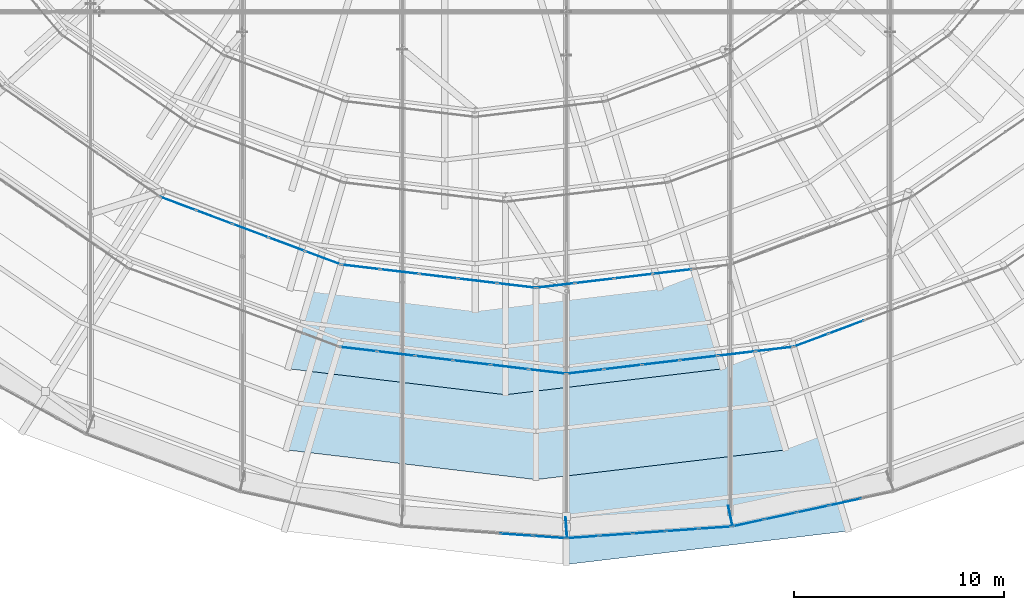
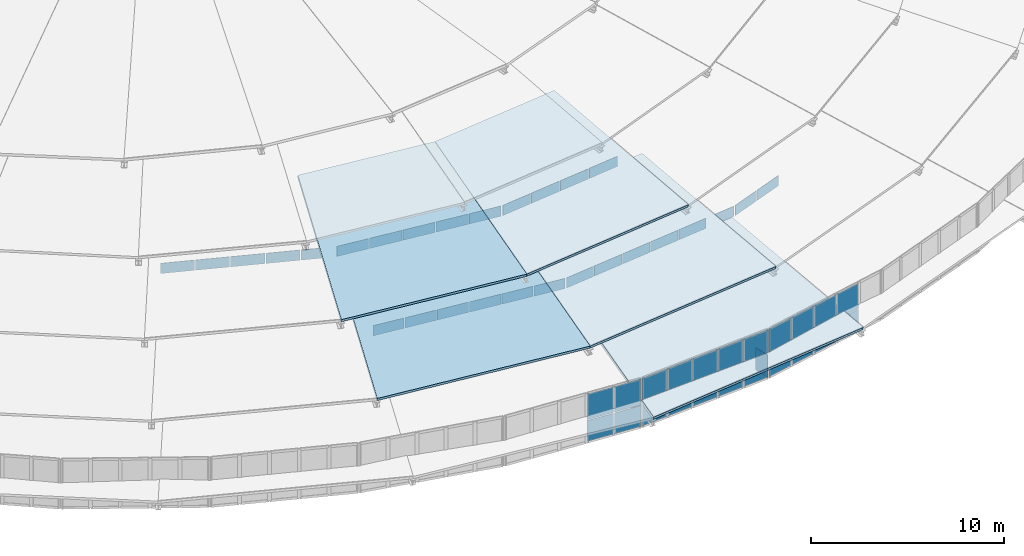
# One storey, part 144 of 173: 52 plates, 5 slabs, 12 elements without a shape of their own.
"""IFC4 building model written with IfcOpenShell, lengths in metres."""

from ifc_helpers import new_model, si_unit, direction, frame, origin, origin_2d, place, context, subcontext, project, spatial, polyline, rectangle, outline, extrude, material, layer, layer_set, type_object, element, aggregate, save


model = new_model("IFC4")

# Units and contexts
model_context = context("Model", 3, precision=1e-05, world=origin(), true_north=direction((0.0, 1.0)))
body_context = subcontext(model_context, "Body", "Model", "MODEL_VIEW")
ifc_project = project(units=[si_unit("LENGTHUNIT", "METRE"), si_unit("AREAUNIT", "SQUARE_METRE"), si_unit("VOLUMEUNIT", "CUBIC_METRE"), si_unit("PLANEANGLEUNIT", "RADIAN"), si_unit("MASSUNIT", "GRAM", prefix="KILO")], contexts=[model_context])

# Site, building, storey
site_placement = place(None, origin())
site = spatial("IfcSite", under=ifc_project, at=site_placement, CompositionType="ELEMENT")
building_placement = place(site_placement, origin())
building = spatial("IfcBuilding", under=site, at=building_placement, Name="Glasvene Arena", CompositionType="ELEMENT")
storey_placement = place(building_placement, frame((0.0, 0.0, 28.800048828125)))
storey = spatial("IfcBuildingStorey", under=building, at=storey_placement, Name="RF", CompositionType="ELEMENT", Elevation=28.800048828125)

# Curtain wall, plates
ifc_material_1 = material(Name="Low-emissivity laminated double glazing", Category="glass")
curtain_wall_type_1 = type_object("IfcCurtainWallType", Name="CW-PET1-1091x75", PredefinedType="USERDEFINED", material=ifc_material_1)
curtain_wall_1_placement = place(storey_placement, frame((81.16845703125, 36.584716796875, 0.0)))
curtain_wall_1 = element("IfcCurtainWall", 1, at=curtain_wall_1_placement, inside=storey, type_object=curtain_wall_type_1, Name="Petal ring 1-2 clerestory curtain wall 18", ObjectType="CURTAIN WALL", PredefinedType="USERDEFINED")
ifc_layer_1 = layer(ifc_material_1, 0.028076171875)
ifc_layer_set_1 = layer_set([ifc_layer_1], Name="Low-emissivity laminated double glazing")
plate_type_1 = type_object("IfcPlateType", Name="CW-GLZ-28", PredefinedType="CURTAIN_PANEL", material=ifc_layer_set_1)
plate_1_placement = place(storey_placement, frame((82.08349609375, 36.47607421875, 2.6298828125), z_axis=(0.0, 0.0, 1.0), x_axis=(0.993040652756, -0.117772076378, 0.0)))
plate_1 = element("IfcPlate", 2, at=plate_1_placement, type_object=plate_type_1, Name="CW-086 panel 1.1", PredefinedType="CURTAIN_PANEL", context=body_context, shape_type="SweptSolid", body=[
    extrude(rectangle(XDim=1.742919921875, YDim=0.028076171875, at=origin_2d()), origin(), (0.0, 0.0, 1.0), 0.64990234375),
])
plate_2_placement = place(storey_placement, frame((83.876220703125, 36.263427734375, 2.6298828125), z_axis=(0.0, 0.0, 1.0), x_axis=(0.993040652756, -0.117772076378, 0.0)))
plate_2 = element("IfcPlate", 3, at=plate_2_placement, type_object=plate_type_1, Name="CW-086 panel 2.1", PredefinedType="CURTAIN_PANEL", context=body_context, shape_type="SweptSolid", body=[
    extrude(rectangle(XDim=1.767822265625, YDim=0.028076171875, at=origin_2d()), origin(), (0.0, 0.0, 1.0), 0.64990234375),
])
plate_3_placement = place(storey_placement, frame((85.681640625, 36.04931640625, 2.6298828125), z_axis=(0.0, 0.0, 1.0), x_axis=(0.993040652756, -0.117772076378, 0.0)))
plate_3 = element("IfcPlate", 4, at=plate_3_placement, type_object=plate_type_1, Name="CW-086 panel 3.1", PredefinedType="CURTAIN_PANEL", context=body_context, shape_type="SweptSolid", body=[
    extrude(rectangle(XDim=1.767822265625, YDim=0.028076171875, at=origin_2d()), origin(), (0.0, 0.0, 1.0), 0.64990234375),
])
plate_4_placement = place(storey_placement, frame((87.48681640625, 35.835205078125, 2.6298828125), z_axis=(0.0, 0.0, 1.0), x_axis=(0.993040652756, -0.117772076378, 0.0)))
plate_4 = element("IfcPlate", 5, at=plate_4_placement, type_object=plate_type_1, Name="CW-086 panel 4.1", PredefinedType="CURTAIN_PANEL", context=body_context, shape_type="SweptSolid", body=[
    extrude(rectangle(XDim=1.767822265625, YDim=0.028076171875, at=origin_2d()), origin(), (0.0, 0.0, 1.0), 0.64990234375),
])
plate_5_placement = place(storey_placement, frame((89.2919921875, 35.62109375, 2.6298828125), z_axis=(0.0, 0.0, 1.0), x_axis=(0.993040652756, -0.117772076378, 0.0)))
plate_5 = element("IfcPlate", 6, at=plate_5_placement, type_object=plate_type_1, Name="CW-086 panel 5.1", PredefinedType="CURTAIN_PANEL", context=body_context, shape_type="SweptSolid", body=[
    extrude(rectangle(XDim=1.767822265625, YDim=0.028076171875, at=origin_2d()), origin(), (0.0, 0.0, 1.0), 0.64990234375),
])
plate_6_placement = place(storey_placement, frame((91.0849609375, 35.408447265625, 2.6298828125), z_axis=(0.0, 0.0, 1.0), x_axis=(0.993040652756, -0.117772076378, 0.0)))
plate_6 = element("IfcPlate", 7, at=plate_6_placement, type_object=plate_type_1, Name="CW-086 panel 6.1", PredefinedType="CURTAIN_PANEL", context=body_context, shape_type="SweptSolid", body=[
    extrude(rectangle(XDim=1.742919921875, YDim=0.028076171875, at=origin_2d()), origin(), (0.0, 0.0, 1.0), 0.64990234375),
])
aggregate(curtain_wall_1, [plate_1, plate_2, plate_3, plate_4, plate_5, plate_6])

curtain_wall_2_placement = place(storey_placement, frame((92.0, 35.300048828125, 0.0)))
curtain_wall_2 = element("IfcCurtainWall", 8, at=curtain_wall_2_placement, inside=storey, type_object=curtain_wall_type_1, Name="Petal ring 1-2 clerestory curtain wall 19", ObjectType="CURTAIN WALL", PredefinedType="USERDEFINED")
plate_7_placement = place(storey_placement, frame((92.9150390625, 35.408447265625, 2.6298828125), z_axis=(0.0, 0.0, 1.0), x_axis=(0.993040652756, 0.117772076378, 0.0)))
plate_7 = element("IfcPlate", 9, at=plate_7_placement, type_object=plate_type_1, Name="CW-086 panel 1.1", PredefinedType="CURTAIN_PANEL", context=body_context, shape_type="SweptSolid", body=[
    extrude(rectangle(XDim=1.742919921875, YDim=0.028076171875, at=origin_2d()), origin(), (0.0, 0.0, 1.0), 0.64990234375),
])
plate_8_placement = place(storey_placement, frame((94.7080078125, 35.62109375, 2.6298828125), z_axis=(0.0, 0.0, 1.0), x_axis=(0.993040652756, 0.117772076378, 0.0)))
plate_8 = element("IfcPlate", 10, at=plate_8_placement, type_object=plate_type_1, Name="CW-086 panel 2.1", PredefinedType="CURTAIN_PANEL", context=body_context, shape_type="SweptSolid", body=[
    extrude(rectangle(XDim=1.767822265625, YDim=0.028076171875, at=origin_2d()), origin(), (0.0, 0.0, 1.0), 0.64990234375),
])
plate_9_placement = place(storey_placement, frame((96.51318359375, 35.835205078125, 2.6298828125), z_axis=(0.0, 0.0, 1.0), x_axis=(0.993040652756, 0.117772076378, 0.0)))
plate_9 = element("IfcPlate", 11, at=plate_9_placement, type_object=plate_type_1, Name="CW-086 panel 3.1", PredefinedType="CURTAIN_PANEL", context=body_context, shape_type="SweptSolid", body=[
    extrude(rectangle(XDim=1.767822265625, YDim=0.028076171875, at=origin_2d()), origin(), (0.0, 0.0, 1.0), 0.64990234375),
])
plate_10_placement = place(storey_placement, frame((98.318359375, 36.04931640625, 2.6298828125), z_axis=(0.0, 0.0, 1.0), x_axis=(0.993040652756, 0.117772076378, 0.0)))
plate_10 = element("IfcPlate", 12, at=plate_10_placement, type_object=plate_type_1, Name="CW-086 panel 4.1", PredefinedType="CURTAIN_PANEL", context=body_context, shape_type="SweptSolid", body=[
    extrude(rectangle(XDim=1.767822265625, YDim=0.028076171875, at=origin_2d()), origin(), (0.0, 0.0, 1.0), 0.64990234375),
])
plate_11_placement = place(storey_placement, frame((100.123779296875, 36.263427734375, 2.6298828125), z_axis=(0.0, 0.0, 1.0), x_axis=(0.993040652756, 0.117772076378, 0.0)))
plate_11 = element("IfcPlate", 13, at=plate_11_placement, type_object=plate_type_1, Name="CW-086 panel 5.1", PredefinedType="CURTAIN_PANEL", context=body_context, shape_type="SweptSolid", body=[
    extrude(rectangle(XDim=1.767822265625, YDim=0.028076171875, at=origin_2d()), origin(), (0.0, 0.0, 1.0), 0.64990234375),
])
plate_12_placement = place(storey_placement, frame((101.91650390625, 36.47607421875, 2.6298828125), z_axis=(0.0, 0.0, 1.0), x_axis=(0.993040652756, 0.117772076378, 0.0)))
plate_12 = element("IfcPlate", 14, at=plate_12_placement, type_object=plate_type_1, Name="CW-086 panel 6.1", PredefinedType="CURTAIN_PANEL", context=body_context, shape_type="SweptSolid", body=[
    extrude(rectangle(XDim=1.742919921875, YDim=0.028076171875, at=origin_2d()), origin(), (0.0, 0.0, 1.0), 0.64990234375),
])
aggregate(curtain_wall_2, [plate_7, plate_8, plate_9, plate_10, plate_11, plate_12])

curtain_wall_type_2 = type_object("IfcCurtainWallType", Name="CW-PET1-1077x75", PredefinedType="USERDEFINED", material=ifc_material_1)
curtain_wall_3_placement = place(storey_placement, frame((102.83154296875, 36.584716796875, 0.0)))
curtain_wall_3 = element("IfcCurtainWall", 15, at=curtain_wall_3_placement, inside=storey, type_object=curtain_wall_type_2, Name="Petal ring 1-2 clerestory curtain wall 20", ObjectType="CURTAIN WALL", PredefinedType="USERDEFINED")
plate_13_placement = place(storey_placement, frame((103.684326171875, 36.90283203125, 2.6298828125), z_axis=(0.0, 0.0, 1.0), x_axis=(0.936902411354, 0.349591006176, 0.0)))
plate_13 = element("IfcPlate", 16, at=plate_13_placement, type_object=plate_type_1, Name="CW-085 panel 1.1", PredefinedType="CURTAIN_PANEL", context=body_context, shape_type="SweptSolid", body=[
    extrude(rectangle(XDim=1.720458984375, YDim=0.028076171875, at=origin_2d()), origin(), (0.0, 0.0, 1.0), 0.64990234375),
])
plate_14_placement = place(storey_placement, frame((105.35498046875, 37.526123046875, 2.6298828125), z_axis=(0.0, 0.0, 1.0), x_axis=(0.936902411354, 0.349591006176, 0.0)))
plate_14 = element("IfcPlate", 17, at=plate_14_placement, type_object=plate_type_1, Name="CW-085 panel 2.1", PredefinedType="CURTAIN_PANEL", context=body_context, shape_type="SweptSolid", body=[
    extrude(rectangle(XDim=1.74560546875, YDim=0.028076171875, at=origin_2d()), origin(), (0.0, 0.0, 1.0), 0.64990234375),
])
aggregate(curtain_wall_3, [plate_13, plate_14])

curtain_wall_type_3 = type_object("IfcCurtainWallType", Name="CW-PET2-925x75", PredefinedType="USERDEFINED", material=ifc_material_1)
curtain_wall_4_placement = place(storey_placement, frame((72.60009765625, 43.74755859375, 0.0)))
curtain_wall_4 = element("IfcCurtainWall", 18, at=curtain_wall_4_placement, inside=storey, type_object=curtain_wall_type_3, Name="Petal ring 2-3 clerestory curtain wall 17", ObjectType="CURTAIN WALL", PredefinedType="USERDEFINED")
plate_15_placement = place(storey_placement, frame((73.4775390625, 43.4189453125, 5.22998046875), z_axis=(0.0, 0.0, 1.0), x_axis=(0.936510409342, -0.350639776971, 0.0)))
plate_15 = element("IfcPlate", 19, at=plate_15_placement, type_object=plate_type_1, Name="CW-091 panel 1.1", PredefinedType="CURTAIN_PANEL", context=body_context, shape_type="SweptSolid", body=[
    extrude(rectangle(XDim=1.774169921875, YDim=0.028076171875, at=origin_2d()), origin(), (0.0, 0.0, 1.0), 0.64990234375),
])
plate_16_placement = place(storey_placement, frame((75.197509765625, 42.77490234375, 5.22998046875), z_axis=(0.0, 0.0, 1.0), x_axis=(0.936510409342, -0.350639776971, 0.0)))
plate_16 = element("IfcPlate", 20, at=plate_16_placement, type_object=plate_type_1, Name="CW-091 panel 2.1", PredefinedType="CURTAIN_PANEL", context=body_context, shape_type="SweptSolid", body=[
    extrude(rectangle(XDim=1.799072265625, YDim=0.028076171875, at=origin_2d()), origin(), (0.0, 0.0, 1.0), 0.64990234375),
])
plate_17_placement = place(storey_placement, frame((76.92919921875, 42.126708984375, 5.22998046875), z_axis=(0.0, 0.0, 1.0), x_axis=(0.936510409342, -0.350639776971, 0.0)))
plate_17 = element("IfcPlate", 21, at=plate_17_placement, type_object=plate_type_1, Name="CW-091 panel 3.1", PredefinedType="CURTAIN_PANEL", context=body_context, shape_type="SweptSolid", body=[
    extrude(rectangle(XDim=1.799072265625, YDim=0.028076171875, at=origin_2d()), origin(), (0.0, 0.0, 1.0), 0.64990234375),
])
plate_18_placement = place(storey_placement, frame((78.660888671875, 41.478271484375, 5.22998046875), z_axis=(0.0, 0.0, 1.0), x_axis=(0.936510409342, -0.350639776971, 0.0)))
plate_18 = element("IfcPlate", 22, at=plate_18_placement, type_object=plate_type_1, Name="CW-091 panel 4.1", PredefinedType="CURTAIN_PANEL", context=body_context, shape_type="SweptSolid", body=[
    extrude(rectangle(XDim=1.799072265625, YDim=0.028076171875, at=origin_2d()), origin(), (0.0, 0.0, 1.0), 0.64990234375),
])
plate_19_placement = place(storey_placement, frame((80.380859375, 40.834228515625, 5.22998046875), z_axis=(0.0, 0.0, 1.0), x_axis=(0.936510409342, -0.350639776971, 0.0)))
plate_19 = element("IfcPlate", 23, at=plate_19_placement, type_object=plate_type_1, Name="CW-091 panel 5.1", PredefinedType="CURTAIN_PANEL", context=body_context, shape_type="SweptSolid", body=[
    extrude(rectangle(XDim=1.774169921875, YDim=0.028076171875, at=origin_2d()), origin(), (0.0, 0.0, 1.0), 0.64990234375),
])
aggregate(curtain_wall_4, [plate_15, plate_16, plate_17, plate_18, plate_19])

curtain_wall_type_4 = type_object("IfcCurtainWallType", Name="CW-PET2-936x75", PredefinedType="USERDEFINED", material=ifc_material_1)
curtain_wall_5_placement = place(storey_placement, frame((81.25830078125, 40.505615234375, 0.0)))
curtain_wall_5 = element("IfcCurtainWall", 24, at=curtain_wall_5_placement, inside=storey, type_object=curtain_wall_type_4, Name="Petal ring 2-3 clerestory curtain wall 18", ObjectType="CURTAIN WALL", PredefinedType="USERDEFINED")
plate_20_placement = place(storey_placement, frame((82.199951171875, 40.3935546875, 5.22998046875), z_axis=(0.0, 0.0, 1.0), x_axis=(0.992993828668, -0.118166222866, 0.0)))
plate_20 = element("IfcPlate", 25, at=plate_20_placement, type_object=plate_type_1, Name="CW-092 panel 1.1", PredefinedType="CURTAIN_PANEL", context=body_context, shape_type="SweptSolid", body=[
    extrude(rectangle(XDim=1.79638671875, YDim=0.028076171875, at=origin_2d()), origin(), (0.0, 0.0, 1.0), 0.64990234375),
])
plate_21_placement = place(storey_placement, frame((84.0458984375, 40.174072265625, 5.22998046875), z_axis=(0.0, 0.0, 1.0), x_axis=(0.992993828668, -0.118166222866, 0.0)))
plate_21 = element("IfcPlate", 26, at=plate_21_placement, type_object=plate_type_1, Name="CW-092 panel 2.1", PredefinedType="CURTAIN_PANEL", context=body_context, shape_type="SweptSolid", body=[
    extrude(rectangle(XDim=1.821533203125, YDim=0.028076171875, at=origin_2d()), origin(), (0.0, 0.0, 1.0), 0.64990234375),
])
plate_22_placement = place(storey_placement, frame((85.904296875, 39.952880859375, 5.22998046875), z_axis=(0.0, 0.0, 1.0), x_axis=(0.992993828668, -0.118166222866, 0.0)))
plate_22 = element("IfcPlate", 27, at=plate_22_placement, type_object=plate_type_1, Name="CW-092 panel 3.1", PredefinedType="CURTAIN_PANEL", context=body_context, shape_type="SweptSolid", body=[
    extrude(rectangle(XDim=1.821533203125, YDim=0.028076171875, at=origin_2d()), origin(), (0.0, 0.0, 1.0), 0.64990234375),
])
plate_23_placement = place(storey_placement, frame((87.762451171875, 39.731689453125, 5.22998046875), z_axis=(0.0, 0.0, 1.0), x_axis=(0.992993828668, -0.118166222866, 0.0)))
plate_23 = element("IfcPlate", 28, at=plate_23_placement, type_object=plate_type_1, Name="CW-092 panel 4.1", PredefinedType="CURTAIN_PANEL", context=body_context, shape_type="SweptSolid", body=[
    extrude(rectangle(XDim=1.821533203125, YDim=0.028076171875, at=origin_2d()), origin(), (0.0, 0.0, 1.0), 0.64990234375),
])
plate_24_placement = place(storey_placement, frame((89.6083984375, 39.511962890625, 5.22998046875), z_axis=(0.0, 0.0, 1.0), x_axis=(0.992993828668, -0.118166222866, 0.0)))
plate_24 = element("IfcPlate", 29, at=plate_24_placement, type_object=plate_type_1, Name="CW-092 panel 5.1", PredefinedType="CURTAIN_PANEL", context=body_context, shape_type="SweptSolid", body=[
    extrude(rectangle(XDim=1.79638671875, YDim=0.028076171875, at=origin_2d()), origin(), (0.0, 0.0, 1.0), 0.64990234375),
])
aggregate(curtain_wall_5, [plate_20, plate_21, plate_22, plate_23, plate_24])

curtain_wall_6_placement = place(storey_placement, frame((90.550048828125, 39.39990234375, 0.0)))
curtain_wall_6 = element("IfcCurtainWall", 30, at=curtain_wall_6_placement, inside=storey, type_object=curtain_wall_type_4, Name="Petal ring 2-3 clerestory curtain wall 19", ObjectType="CURTAIN WALL", PredefinedType="USERDEFINED")
plate_25_placement = place(storey_placement, frame((91.491455078125, 39.511962890625, 5.22998046875), z_axis=(0.0, 0.0, 1.0), x_axis=(0.992993828668, 0.118166222866, 0.0)))
plate_25 = element("IfcPlate", 31, at=plate_25_placement, type_object=plate_type_1, Name="CW-092 panel 1.1", PredefinedType="CURTAIN_PANEL", context=body_context, shape_type="SweptSolid", body=[
    extrude(rectangle(XDim=1.79638671875, YDim=0.028076171875, at=origin_2d()), origin(), (0.0, 0.0, 1.0), 0.64990234375),
])
plate_26_placement = place(storey_placement, frame((93.33740234375, 39.731689453125, 5.22998046875), z_axis=(0.0, 0.0, 1.0), x_axis=(0.992993828668, 0.118166222866, 0.0)))
plate_26 = element("IfcPlate", 32, at=plate_26_placement, type_object=plate_type_1, Name="CW-092 panel 2.1", PredefinedType="CURTAIN_PANEL", context=body_context, shape_type="SweptSolid", body=[
    extrude(rectangle(XDim=1.821533203125, YDim=0.028076171875, at=origin_2d()), origin(), (0.0, 0.0, 1.0), 0.64990234375),
])
plate_27_placement = place(storey_placement, frame((95.19580078125, 39.952880859375, 5.22998046875), z_axis=(0.0, 0.0, 1.0), x_axis=(0.992993828668, 0.118166222866, 0.0)))
plate_27 = element("IfcPlate", 33, at=plate_27_placement, type_object=plate_type_1, Name="CW-092 panel 3.1", PredefinedType="CURTAIN_PANEL", context=body_context, shape_type="SweptSolid", body=[
    extrude(rectangle(XDim=1.821533203125, YDim=0.028076171875, at=origin_2d()), origin(), (0.0, 0.0, 1.0), 0.64990234375),
])
plate_28_placement = place(storey_placement, frame((97.05419921875, 40.174072265625, 5.22998046875), z_axis=(0.0, 0.0, 1.0), x_axis=(0.992993828668, 0.118166222866, 0.0)))
plate_28 = element("IfcPlate", 34, at=plate_28_placement, type_object=plate_type_1, Name="CW-092 panel 4.1", PredefinedType="CURTAIN_PANEL", context=body_context, shape_type="SweptSolid", body=[
    extrude(rectangle(XDim=1.821533203125, YDim=0.028076171875, at=origin_2d()), origin(), (0.0, 0.0, 1.0), 0.64990234375),
])
aggregate(curtain_wall_6, [plate_25, plate_26, plate_27, plate_28])

curtain_wall_type_5 = type_object("IfcCurtainWallType", Name="CW-DRUM-793x310", PredefinedType="USERDEFINED", material=ifc_material_1)
curtain_wall_7_placement = place(storey_placement, frame((84.09228515625, 28.0107421875, 0.0)))
curtain_wall_7 = element("IfcCurtainWall", 35, at=curtain_wall_7_placement, inside=storey, type_object=curtain_wall_type_5, Name="Crown compression-ring fascia curtain wall 30", ObjectType="CURTAIN WALL", PredefinedType="USERDEFINED")
ifc_material_2 = material(Name="Insulated shadow-box spandrel panel")
ifc_layer_2 = layer(ifc_material_2, 0.02392578125)
ifc_layer_set_2 = layer_set([ifc_layer_2], Name="Insulated shadow-box spandrel panel")
plate_type_2 = type_object("IfcPlateType", Name="CW-SPN-24", PredefinedType="CURTAIN_PANEL", material=ifc_layer_set_2)
plate_29_placement = place(storey_placement, frame((89.627685546875, 27.6181640625, -1.330078125), z_axis=(0.0, 0.0, 1.0), x_axis=(0.997494812204, -0.07073966092, 0.0)))
plate_29 = element("IfcPlate", 36, at=plate_29_placement, type_object=plate_type_2, Name="CW-080 panel 4.1", PredefinedType="CURTAIN_PANEL", context=body_context, shape_type="SweptSolid", body=[
    extrude(rectangle(XDim=1.53564453125, YDim=0.02392578125, at=origin_2d()), origin(), (0.0, 0.0, 1.0), 1.324951171875),
])
plate_30_placement = place(storey_placement, frame((89.627685546875, 27.6181640625, 0.044921875), z_axis=(0.0, 0.0, 1.0), x_axis=(0.997494812204, -0.07073966092, 0.0)))
plate_30 = element("IfcPlate", 37, at=plate_30_placement, type_object=plate_type_2, Name="CW-080 panel 4.2", PredefinedType="CURTAIN_PANEL", context=body_context, shape_type="SweptSolid", body=[
    extrude(rectangle(XDim=1.53564453125, YDim=0.02392578125, at=origin_2d()), origin(), (0.0, 0.0, 1.0), 1.625),
])
plate_31_placement = place(storey_placement, frame((91.19677734375, 27.507080078125, -1.330078125), z_axis=(0.0, 0.0, 1.0), x_axis=(0.997494812204, -0.07073966092, 0.0)))
plate_31 = element("IfcPlate", 38, at=plate_31_placement, type_object=plate_type_2, Name="CW-080 panel 5.1", PredefinedType="CURTAIN_PANEL", context=body_context, shape_type="SweptSolid", body=[
    extrude(rectangle(XDim=1.510498046875, YDim=0.02392578125, at=origin_2d()), origin(), (0.0, 0.0, 1.0), 1.324951171875),
])
plate_32_placement = place(storey_placement, frame((91.19677734375, 27.507080078125, 0.044921875), z_axis=(0.0, 0.0, 1.0), x_axis=(0.997494812204, -0.07073966092, 0.0)))
plate_32 = element("IfcPlate", 39, at=plate_32_placement, type_object=plate_type_2, Name="CW-080 panel 5.2", PredefinedType="CURTAIN_PANEL", context=body_context, shape_type="SweptSolid", body=[
    extrude(rectangle(XDim=1.510498046875, YDim=0.02392578125, at=origin_2d()), origin(), (0.0, 0.0, 1.0), 1.625),
])
aggregate(curtain_wall_7, [plate_29, plate_30, plate_31, plate_32])

curtain_wall_8_placement = place(storey_placement, frame((92.0, 27.449951171875, 0.0)))
curtain_wall_8 = element("IfcCurtainWall", 40, at=curtain_wall_8_placement, inside=storey, type_object=curtain_wall_type_5, Name="Crown compression-ring fascia curtain wall 31", ObjectType="CURTAIN WALL", PredefinedType="USERDEFINED")
plate_33_placement = place(storey_placement, frame((92.80322265625, 27.507080078125, -1.330078125), z_axis=(0.0, 0.0, 1.0), x_axis=(0.997494812204, 0.07073966092, 0.0)))
plate_33 = element("IfcPlate", 41, at=plate_33_placement, type_object=plate_type_2, Name="CW-080 panel 1.1", PredefinedType="CURTAIN_PANEL", context=body_context, shape_type="SweptSolid", body=[
    extrude(rectangle(XDim=1.510498046875, YDim=0.02392578125, at=origin_2d()), origin(), (0.0, 0.0, 1.0), 1.324951171875),
])
plate_34_placement = place(storey_placement, frame((92.80322265625, 27.507080078125, 0.044921875), z_axis=(0.0, 0.0, 1.0), x_axis=(0.997494812204, 0.07073966092, 0.0)))
plate_34 = element("IfcPlate", 42, at=plate_34_placement, type_object=plate_type_2, Name="CW-080 panel 1.2", PredefinedType="CURTAIN_PANEL", context=body_context, shape_type="SweptSolid", body=[
    extrude(rectangle(XDim=1.510498046875, YDim=0.02392578125, at=origin_2d()), origin(), (0.0, 0.0, 1.0), 1.625),
])
plate_35_placement = place(storey_placement, frame((94.372314453125, 27.6181640625, -1.330078125), z_axis=(0.0, 0.0, 1.0), x_axis=(0.997494812204, 0.07073966092, 0.0)))
plate_35 = element("IfcPlate", 43, at=plate_35_placement, type_object=plate_type_2, Name="CW-080 panel 2.1", PredefinedType="CURTAIN_PANEL", context=body_context, shape_type="SweptSolid", body=[
    extrude(rectangle(XDim=1.53564453125, YDim=0.02392578125, at=origin_2d()), origin(), (0.0, 0.0, 1.0), 1.324951171875),
])
plate_36_placement = place(storey_placement, frame((94.372314453125, 27.6181640625, 0.044921875), z_axis=(0.0, 0.0, 1.0), x_axis=(0.997494812204, 0.07073966092, 0.0)))
plate_36 = element("IfcPlate", 44, at=plate_36_placement, type_object=plate_type_2, Name="CW-080 panel 2.2", PredefinedType="CURTAIN_PANEL", context=body_context, shape_type="SweptSolid", body=[
    extrude(rectangle(XDim=1.53564453125, YDim=0.02392578125, at=origin_2d()), origin(), (0.0, 0.0, 1.0), 1.625),
])
plate_37_placement = place(storey_placement, frame((95.953857421875, 27.73046875, -1.330078125), z_axis=(0.0, 0.0, 1.0), x_axis=(0.997494812204, 0.07073966092, 0.0)))
plate_37 = element("IfcPlate", 45, at=plate_37_placement, type_object=plate_type_2, Name="CW-080 panel 3.1", PredefinedType="CURTAIN_PANEL", context=body_context, shape_type="SweptSolid", body=[
    extrude(rectangle(XDim=1.53564453125, YDim=0.02392578125, at=origin_2d()), origin(), (0.0, 0.0, 1.0), 1.324951171875),
])
plate_38_placement = place(storey_placement, frame((95.953857421875, 27.73046875, 0.044921875), z_axis=(0.0, 0.0, 1.0), x_axis=(0.997494812204, 0.07073966092, 0.0)))
plate_38 = element("IfcPlate", 46, at=plate_38_placement, type_object=plate_type_2, Name="CW-080 panel 3.2", PredefinedType="CURTAIN_PANEL", context=body_context, shape_type="SweptSolid", body=[
    extrude(rectangle(XDim=1.53564453125, YDim=0.02392578125, at=origin_2d()), origin(), (0.0, 0.0, 1.0), 1.625),
])
plate_39_placement = place(storey_placement, frame((97.535400390625, 27.842529296875, -1.330078125), z_axis=(0.0, 0.0, 1.0), x_axis=(0.997494812204, 0.07073966092, 0.0)))
plate_39 = element("IfcPlate", 47, at=plate_39_placement, type_object=plate_type_2, Name="CW-080 panel 4.1", PredefinedType="CURTAIN_PANEL", context=body_context, shape_type="SweptSolid", body=[
    extrude(rectangle(XDim=1.53564453125, YDim=0.02392578125, at=origin_2d()), origin(), (0.0, 0.0, 1.0), 1.324951171875),
])
plate_40_placement = place(storey_placement, frame((97.535400390625, 27.842529296875, 0.044921875), z_axis=(0.0, 0.0, 1.0), x_axis=(0.997494812204, 0.07073966092, 0.0)))
plate_40 = element("IfcPlate", 48, at=plate_40_placement, type_object=plate_type_2, Name="CW-080 panel 4.2", PredefinedType="CURTAIN_PANEL", context=body_context, shape_type="SweptSolid", body=[
    extrude(rectangle(XDim=1.53564453125, YDim=0.02392578125, at=origin_2d()), origin(), (0.0, 0.0, 1.0), 1.625),
])
plate_41_placement = place(storey_placement, frame((99.1044921875, 27.953857421875, -1.330078125), z_axis=(0.0, 0.0, 1.0), x_axis=(0.997494812204, 0.07073966092, 0.0)))
plate_41 = element("IfcPlate", 49, at=plate_41_placement, type_object=plate_type_2, Name="CW-080 panel 5.1", PredefinedType="CURTAIN_PANEL", context=body_context, shape_type="SweptSolid", body=[
    extrude(rectangle(XDim=1.510498046875, YDim=0.02392578125, at=origin_2d()), origin(), (0.0, 0.0, 1.0), 1.324951171875),
])
plate_42_placement = place(storey_placement, frame((99.1044921875, 27.953857421875, 0.044921875), z_axis=(0.0, 0.0, 1.0), x_axis=(0.997494812204, 0.07073966092, 0.0)))
plate_42 = element("IfcPlate", 50, at=plate_42_placement, type_object=plate_type_2, Name="CW-080 panel 5.2", PredefinedType="CURTAIN_PANEL", context=body_context, shape_type="SweptSolid", body=[
    extrude(rectangle(XDim=1.510498046875, YDim=0.02392578125, at=origin_2d()), origin(), (0.0, 0.0, 1.0), 1.625),
])
aggregate(curtain_wall_8, [plate_33, plate_34, plate_35, plate_36, plate_37, plate_38, plate_39, plate_40, plate_41, plate_42])

curtain_wall_type_6 = type_object("IfcCurtainWallType", Name="CW-DRUM-789x310", PredefinedType="USERDEFINED", material=ifc_material_1)
curtain_wall_9_placement = place(storey_placement, frame((99.90771484375, 28.0107421875, 0.0)))
curtain_wall_9 = element("IfcCurtainWall", 51, at=curtain_wall_9_placement, inside=storey, type_object=curtain_wall_type_6, Name="Crown compression-ring fascia curtain wall 32", ObjectType="CURTAIN WALL", PredefinedType="USERDEFINED")
plate_43_placement = place(storey_placement, frame((100.69140625, 28.180419921875, -1.330078125), z_axis=(0.0, 0.0, 1.0), x_axis=(0.977389964658, 0.211444690135, 0.0)))
plate_43 = element("IfcPlate", 52, at=plate_43_placement, type_object=plate_type_2, Name="CW-079 panel 1.1", PredefinedType="CURTAIN_PANEL", context=body_context, shape_type="SweptSolid", body=[
    extrude(rectangle(XDim=1.503173828125, YDim=0.02392578125, at=origin_2d()), origin(), (0.0, 0.0, 1.0), 1.324951171875),
])
plate_44_placement = place(storey_placement, frame((100.69140625, 28.180419921875, 0.044921875), z_axis=(0.0, 0.0, 1.0), x_axis=(0.977389964658, 0.211444690135, 0.0)))
plate_44 = element("IfcPlate", 53, at=plate_44_placement, type_object=plate_type_2, Name="CW-079 panel 1.2", PredefinedType="CURTAIN_PANEL", context=body_context, shape_type="SweptSolid", body=[
    extrude(rectangle(XDim=1.503173828125, YDim=0.02392578125, at=origin_2d()), origin(), (0.0, 0.0, 1.0), 1.625),
])
plate_45_placement = place(storey_placement, frame((102.2216796875, 28.511474609375, -1.330078125), z_axis=(0.0, 0.0, 1.0), x_axis=(0.977389964658, 0.211444690135, 0.0)))
plate_45 = element("IfcPlate", 54, at=plate_45_placement, type_object=plate_type_2, Name="CW-079 panel 2.1", PredefinedType="CURTAIN_PANEL", context=body_context, shape_type="SweptSolid", body=[
    extrude(rectangle(XDim=1.5283203125, YDim=0.02392578125, at=origin_2d()), origin(), (0.0, 0.0, 1.0), 1.324951171875),
])
plate_46_placement = place(storey_placement, frame((102.2216796875, 28.511474609375, 0.044921875), z_axis=(0.0, 0.0, 1.0), x_axis=(0.977389964658, 0.211444690135, 0.0)))
plate_46 = element("IfcPlate", 55, at=plate_46_placement, type_object=plate_type_2, Name="CW-079 panel 2.2", PredefinedType="CURTAIN_PANEL", context=body_context, shape_type="SweptSolid", body=[
    extrude(rectangle(XDim=1.5283203125, YDim=0.02392578125, at=origin_2d()), origin(), (0.0, 0.0, 1.0), 1.625),
])
plate_47_placement = place(storey_placement, frame((103.764404296875, 28.84521484375, -1.330078125), z_axis=(0.0, 0.0, 1.0), x_axis=(0.977389964658, 0.211444690135, 0.0)))
plate_47 = element("IfcPlate", 56, at=plate_47_placement, type_object=plate_type_2, Name="CW-079 panel 3.1", PredefinedType="CURTAIN_PANEL", context=body_context, shape_type="SweptSolid", body=[
    extrude(rectangle(XDim=1.5283203125, YDim=0.02392578125, at=origin_2d()), origin(), (0.0, 0.0, 1.0), 1.324951171875),
])
plate_48_placement = place(storey_placement, frame((103.764404296875, 28.84521484375, 0.044921875), z_axis=(0.0, 0.0, 1.0), x_axis=(0.977389964658, 0.211444690135, 0.0)))
plate_48 = element("IfcPlate", 57, at=plate_48_placement, type_object=plate_type_2, Name="CW-079 panel 3.2", PredefinedType="CURTAIN_PANEL", context=body_context, shape_type="SweptSolid", body=[
    extrude(rectangle(XDim=1.5283203125, YDim=0.02392578125, at=origin_2d()), origin(), (0.0, 0.0, 1.0), 1.625),
])
plate_49_placement = place(storey_placement, frame((105.306884765625, 29.1787109375, -1.330078125), z_axis=(0.0, 0.0, 1.0), x_axis=(0.977389964658, 0.211444690135, 0.0)))
plate_49 = element("IfcPlate", 58, at=plate_49_placement, type_object=plate_type_2, Name="CW-079 panel 4.1", PredefinedType="CURTAIN_PANEL", context=body_context, shape_type="SweptSolid", body=[
    extrude(rectangle(XDim=1.5283203125, YDim=0.02392578125, at=origin_2d()), origin(), (0.0, 0.0, 1.0), 1.324951171875),
])
plate_50_placement = place(storey_placement, frame((105.306884765625, 29.1787109375, 0.044921875), z_axis=(0.0, 0.0, 1.0), x_axis=(0.977389964658, 0.211444690135, 0.0)))
plate_50 = element("IfcPlate", 59, at=plate_50_placement, type_object=plate_type_2, Name="CW-079 panel 4.2", PredefinedType="CURTAIN_PANEL", context=body_context, shape_type="SweptSolid", body=[
    extrude(rectangle(XDim=1.5283203125, YDim=0.02392578125, at=origin_2d()), origin(), (0.0, 0.0, 1.0), 1.625),
])
aggregate(curtain_wall_9, [plate_43, plate_44, plate_45, plate_46, plate_47, plate_48, plate_49, plate_50])

# Plates
ifc_material_3 = material(Name="Steel S355J2", Category="steel")
ifc_layer_3 = layer(ifc_material_3, 0.035888671875)
ifc_layer_set_3 = layer_set([ifc_layer_3], Name="Steel S355J2")
plate_type_3 = type_object("IfcPlateType", Name="PL-CAP-36", PredefinedType="SHEET", material=ifc_layer_set_3)
for number, where, z_axis, x_axis, name in (
    (60, (92.0, 28.0, -1.409912109375), (0.0, 0.0, 1.0), (0.997502796416, 0.070626985931, 0.0), "Ring beam node diaphragm cap plate ND-31"),
    (61, (99.82177734375, 28.553955078125, -1.409912109375), (0.0, 0.0, 1.0), (0.977452762534, 0.211154201982, 0.0), "Ring beam node diaphragm cap plate ND-32"),
):
    element("IfcPlate", number, at=place(storey_placement, frame(where, z_axis=z_axis, x_axis=x_axis)), inside=storey, type_object=plate_type_3, Name=name, PredefinedType="SHEET", context=body_context, shape_type="SweptSolid", body=[
        extrude(rectangle(XDim=0.035888671875, YDim=0.919921875, at=origin_2d()), origin(), (0.0, 0.0, 1.0), 1.419921875),
    ])

# Roof, slab
ifc_material_4 = material(Name="Smooth matte white insulated roof panel")
ifc_layer_4 = layer(ifc_material_4, 0.179931640625)
ifc_layer_set_4 = layer_set([ifc_layer_4], Name="Smooth matte white insulated roof panel")
roof_type = type_object("IfcRoofType", Name="RF-PETAL-ASSY", PredefinedType="PAVILION_ROOF", material=ifc_layer_set_4)
roof_1_placement = place(storey_placement, frame((92.0, 73.0, 0.0)))
roof_1 = element("IfcRoof", 62, at=roof_1_placement, inside=storey, type_object=roof_type, Name="Shifted white elliptical petal roof ring 1", PredefinedType="PAVILION_ROOF")
ifc_material_5 = material(Name="Precast concrete C50/60", Category="concrete")
ifc_layer_5 = layer(ifc_material_5, 0.179931640625)
ifc_layer_set_5 = layer_set([ifc_layer_5], Name="Precast concrete C50/60")
slab_type = type_object("IfcSlabType", Name="SL-PETAL-180", PredefinedType="ROOF", material=ifc_layer_set_5)
slab_1_placement = place(storey_placement, frame((92.0, 26.199951171875, 0.0), z_axis=(0.030290710869, -0.255636062325, 0.966298440687), x_axis=(0.993052876715, 0.117668959578, 1.57217e-07)))
slab_1 = element("IfcSlab", 63, at=slab_1_placement, type_object=slab_type, Name="White petal roof slab ring 1 bay 19", PredefinedType="ROOF", context=body_context, shape_type="SweptSolid", body=[
    extrude(outline(polyline([(0.0, 0.0), (13.552648077575917, -2.220446049250313e-16), (11.928072174230536, 9.711581693708933), (1.1119663155016197, 9.711596576464993), (0.0, 0.0)])), origin(), (0.0, 0.0, -1.0), 0.179931640625),
])
aggregate(roof_1, [slab_1])

# Roof, slabs
roof_2_placement = place(storey_placement, frame((90.550048828125, 71.85009765625, 2.550048828125)))
roof_2 = element("IfcRoof", 64, at=roof_2_placement, inside=storey, type_object=roof_type, Name="Shifted white elliptical petal roof ring 2", PredefinedType="PAVILION_ROOF")
slab_2_placement = place(storey_placement, frame((78.63134765625, 31.66748046875, 2.550048828125), z_axis=(-0.030858971451, -0.259475717765, 0.965256481859), x_axis=(0.993002089125, -0.118096786549, -2.33447e-07)))
slab_2 = element("IfcSlab", 65, at=slab_2_placement, type_object=slab_type, Name="White petal roof slab ring 2 bay 18", PredefinedType="ROOF", context=body_context, shape_type="SweptSolid", body=[
    extrude(outline(polyline([(0.0, 0.0), (12.002695051684592, -2.220446049250313e-16), (10.882504917621695, 9.758000423865429), (1.6167384307640358, 9.7579814228109), (0.0, 0.0)])), origin(), (0.0, 0.0, -1.0), 0.179931640625),
])
slab_3_placement = place(storey_placement, frame((90.550048828125, 30.25, 2.550048828125), z_axis=(0.030859366186, -0.259476037316, 0.965256383339), x_axis=(0.99300181387, 0.118099100975, 4.97416e-07)))
slab_3 = element("IfcSlab", 66, at=slab_3_placement, type_object=slab_type, Name="White petal roof slab ring 2 bay 19", PredefinedType="ROOF", context=body_context, shape_type="SweptSolid", body=[
    extrude(outline(polyline([(0.0, 0.0), (12.002452619569137, 0.0), (10.385979247061696, 9.757957340507797), (1.120212760274612, 9.757997826413874), (0.0, 0.0)])), origin(), (0.0, 0.0, -1.0), 0.179931640625),
])
aggregate(roof_2, [slab_2, slab_3])

roof_3_placement = place(storey_placement, frame((89.10009765625, 70.699951171875, 5.14990234375)))
roof_3 = element("IfcRoof", 67, at=roof_3_placement, inside=storey, type_object=roof_type, Name="Shifted white elliptical petal roof ring 3", PredefinedType="PAVILION_ROOF")
slab_4_placement = place(storey_placement, frame((78.721435546875, 35.540283203125, 5.14990234375), z_axis=(-0.031431389644, -0.263053212389, 0.964269192289), x_axis=(0.992935721587, -0.118653498845, -2.939507e-06)))
slab_4 = element("IfcSlab", 68, at=slab_4_placement, type_object=slab_type, Name="White petal roof slab ring 3 bay 18", PredefinedType="ROOF", context=body_context, shape_type="SweptSolid", body=[
    extrude(outline(polyline([(0.0, 0.0), (10.45250249865996, 0.0), (9.321578694793953, 9.814593508310505), (1.605964702956729, 9.814391921356526), (0.0, 0.0)])), origin(), (0.0, 0.0, -1.0), 0.179931640625),
])
slab_5_placement = place(storey_placement, frame((89.10009765625, 34.300048828125, 5.14990234375), z_axis=(0.031432226101, -0.26305309258, 0.964269197707), x_axis=(0.992935389262, 0.118656279831, 2.832927e-06)))
slab_5 = element("IfcSlab", 69, at=slab_5_placement, type_object=slab_type, Name="White petal roof slab ring 3 bay 19", PredefinedType="ROOF", context=body_context, shape_type="SweptSolid", body=[
    extrude(outline(polyline([(0.0, 0.0), (10.4522600827793, 2.220446049250313e-16), (8.846321608396938, 9.814396213201396), (1.1309500330221918, 9.81459048592456), (0.0, 0.0)])), origin(), (0.0, 0.0, -1.0), 0.179931640625),
])
aggregate(roof_3, [slab_4, slab_5])

save(model, "model.ifc")
